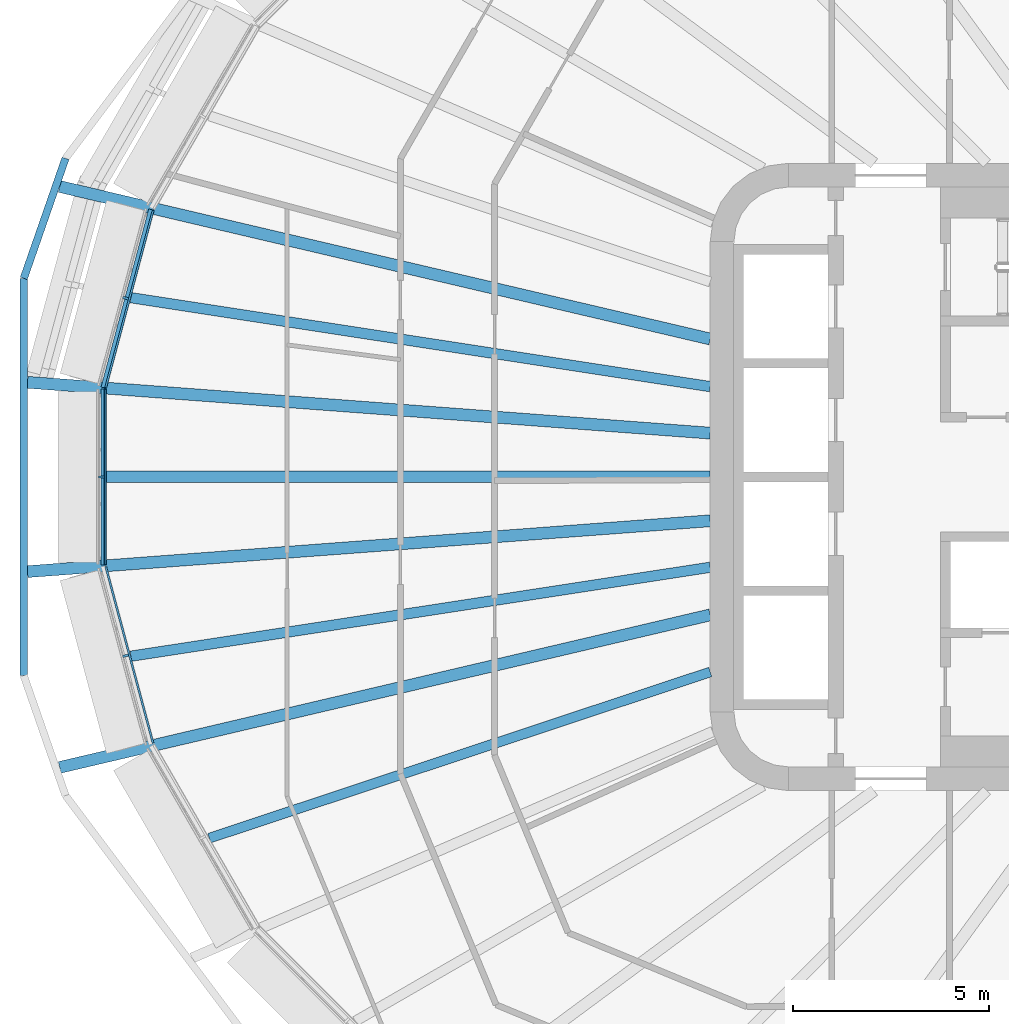
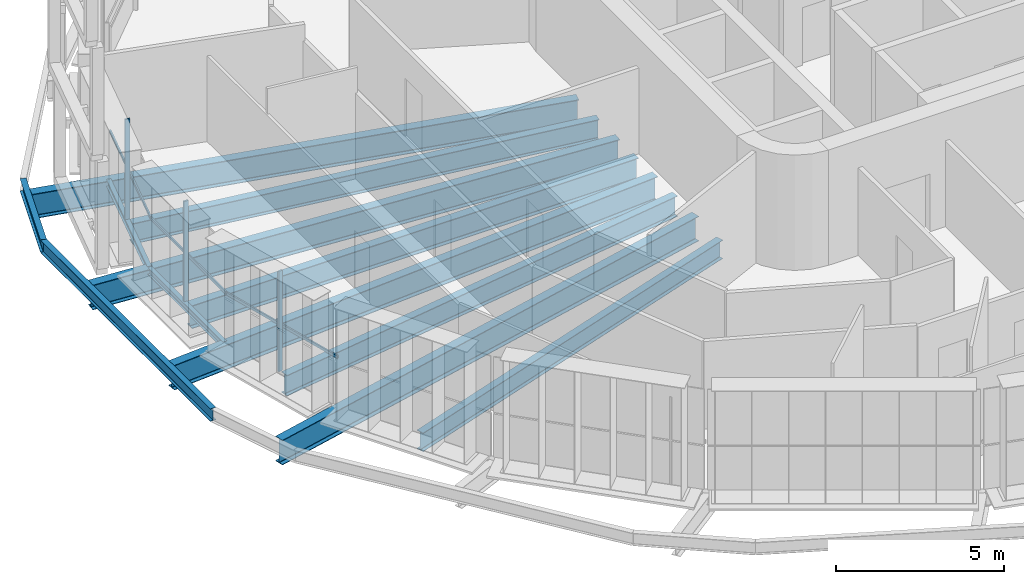
# One storey, part 3 of 24: 12 beams, 6 members, 3 elements without a shape of their own.
"""IFC4 building model written with IfcOpenShell, lengths in metres."""

from ifc_helpers import new_model, si_unit, direction, frame, origin, origin_2d, place, context, subcontext, project, spatial, rectangle, i_section, extrude, material, layer, layer_set, material_profile, profile_set, type_object, element, aggregate, save


model = new_model("IFC4")

# Units and contexts
model_context = context("Model", 3, precision=1e-05, world=origin(), true_north=direction((0.0, 1.0)))
body_context = subcontext(model_context, "Body", "Model", "MODEL_VIEW")
ifc_project = project(units=[si_unit("LENGTHUNIT", "METRE"), si_unit("AREAUNIT", "SQUARE_METRE"), si_unit("VOLUMEUNIT", "CUBIC_METRE"), si_unit("PLANEANGLEUNIT", "RADIAN"), si_unit("MASSUNIT", "GRAM", prefix="KILO")], contexts=[model_context])

# Site, building, storey
site_placement = place(None, origin())
site = spatial("IfcSite", under=ifc_project, at=site_placement, CompositionType="ELEMENT")
building_placement = place(site_placement, origin())
building = spatial("IfcBuilding", under=site, at=building_placement, Name="Sahrelin Media Tower", CompositionType="ELEMENT")
storey_placement = place(building_placement, frame((0.0, 0.0, 58.800048828125)))
storey = spatial("IfcBuildingStorey", under=building, at=storey_placement, Name="L09", CompositionType="ELEMENT", Elevation=58.800048828125)

# Beams
ifc_material_1 = material(Name="Steel S355", Category="steel")
ifc_material_profile_1 = material_profile(ifc_material_1, i_section(OverallWidth=0.14599609375, OverallDepth=0.25146484375, WebThickness=0.006103515625, FlangeThickness=0.008544921875, FilletRadius=0.007568359375, at=origin_2d()), Name="UB 254x146x31")
ifc_profile_set_1 = profile_set([ifc_material_profile_1], Name="Steel S355")
beam_type_1 = type_object("IfcBeamType", Name="Edge beam EB1", PredefinedType="BEAM", material=ifc_profile_set_1)
beam_1_placement = place(storey_placement, frame((-30.468505859375, -2.24658203125, -0.275634765625), z_axis=(0.0, 1.0, 0.0), x_axis=(-1.0, 0.0, 0.0)))
element("IfcBeam", 1, at=beam_1_placement, inside=storey, type_object=beam_type_1, Name="Edge beam L09-13", PredefinedType="BEAM", context=body_context, shape_type="SweptSolid", body=[
    extrude(i_section(OverallWidth=0.14599609375, OverallDepth=0.25146484375, WebThickness=0.006103515625, FlangeThickness=0.008544921875, FilletRadius=0.007568359375, at=origin_2d()), origin(), (0.0, 0.0, 1.0), 4.4931640625),
])
beam_2_placement = place(storey_placement, frame((-30.464599609375, 2.275146484375, -0.275634765625), z_axis=(0.258819114227, 0.965925807767, 0.0), x_axis=(-0.965925807767, 0.258819114227, 0.0)))
element("IfcBeam", 2, at=beam_2_placement, inside=storey, type_object=beam_type_1, Name="Edge beam L09-14", PredefinedType="BEAM", context=body_context, shape_type="SweptSolid", body=[
    extrude(i_section(OverallWidth=0.14599609375, OverallDepth=0.25146484375, WebThickness=0.006103515625, FlangeThickness=0.008544921875, FilletRadius=0.007568359375, at=origin_2d()), origin(), (0.0, 0.0, 1.0), 4.703125),
])

# Curtain wall, member
ifc_material_2 = material(Name="Champagne anodised aluminium 6063-T6", Category="aluminium")
ifc_layer = layer(ifc_material_2, 0.14990234375)
ifc_layer_set = layer_set([ifc_layer], Name="Tower ribbon curtain wall")
curtain_wall_type = type_object("IfcCurtainWallType", Name="Tower ribbon curtain wall", PredefinedType="NOTDEFINED", material=ifc_layer_set)
curtain_wall_1_placement = place(storey_placement, frame((-30.0009765625, 4.58544921875, 0.0), z_axis=(0.0, 0.0, 1.0), x_axis=(1.0, 0.0, 0.0)))
curtain_wall_1 = element("IfcCurtainWall", 3, at=curtain_wall_1_placement, inside=storey, type_object=curtain_wall_type, Name="L09:CW:L09-11", PredefinedType="NOTDEFINED")
ifc_material_profile_2 = material_profile(ifc_material_2, rectangle(XDim=0.06005859375, YDim=0.14990234375, at=origin_2d()), Name="Mullion 60x150")
ifc_profile_set_2 = profile_set([ifc_material_profile_2], Name="Champagne anodised aluminium 6063-T6")
member_type_1 = type_object("IfcMemberType", Name="Mullion 60x150 CW1", PredefinedType="MULLION", material=ifc_profile_set_2)
member_1_placement = place(storey_placement, frame((-29.9091796875, 4.560791015625, 0.0), z_axis=(0.0, 0.0, 1.0), x_axis=(-0.258817359244, -0.965926278012, 0.0)))
member_1 = element("IfcMember", 4, at=member_1_placement, type_object=member_type_1, Name="L09:CWM:L09-11", PredefinedType="MULLION", context=body_context, shape_type="SweptSolid", body=[
    extrude(rectangle(XDim=0.06005859375, YDim=0.14990234375, at=origin_2d()), origin(), (0.0, 0.0, 1.0), 3.6484375),
])

curtain_wall_2_placement = place(storey_placement, frame((-30.618408203125, 0.0, 0.0), z_axis=(0.0, 0.0, 1.0), x_axis=(1.0, 0.0, 0.0)))
curtain_wall_2 = element("IfcCurtainWall", 5, at=curtain_wall_2_placement, inside=storey, type_object=curtain_wall_type, Name="L09:CW:L09-12", PredefinedType="NOTDEFINED")
member_2_placement = place(storey_placement, frame((-30.5234375, 0.0, 0.0), z_axis=(0.0, 0.0, 1.0), x_axis=(0.0, -1.0, 0.0)))
member_2 = element("IfcMember", 6, at=member_2_placement, type_object=member_type_1, Name="L09:CWM:L09-12", PredefinedType="MULLION", context=body_context, shape_type="SweptSolid", body=[
    extrude(rectangle(XDim=0.06005859375, YDim=0.14990234375, at=origin_2d()), origin(), (0.0, 0.0, 1.0), 3.6484375),
])

curtain_wall_3_placement = place(storey_placement, frame((-30.0009765625, -4.58544921875, 0.0), z_axis=(0.0, 0.0, 1.0), x_axis=(1.0, 0.0, 0.0)))
curtain_wall_3 = element("IfcCurtainWall", 7, at=curtain_wall_3_placement, inside=storey, type_object=curtain_wall_type, Name="L09:CW:L09-13", PredefinedType="NOTDEFINED")
member_3_placement = place(storey_placement, frame((-29.9091796875, -4.560791015625, 0.0), z_axis=(0.0, 0.0, 1.0), x_axis=(0.258817359244, -0.965926278012, 0.0)))
member_3 = element("IfcMember", 8, at=member_3_placement, type_object=member_type_1, Name="L09:CWM:L09-13", PredefinedType="MULLION", context=body_context, shape_type="SweptSolid", body=[
    extrude(rectangle(XDim=0.06005859375, YDim=0.14990234375, at=origin_2d()), origin(), (0.0, 0.0, 1.0), 3.6484375),
])

# Beams
ifc_material_profile_3 = material_profile(ifc_material_1, i_section(OverallWidth=0.30322265625, OverallDepth=0.903076171875, WebThickness=0.01513671875, FlangeThickness=0.020263671875, FilletRadius=0.01904296875, at=origin_2d()), Name="UB 914x305x201")
ifc_profile_set_3 = profile_set([ifc_material_profile_3], Name="Steel S355")
beam_type_2 = type_object("IfcBeamType", Name="Radial primary beam PB11", PredefinedType="BEAM", material=ifc_profile_set_3)
beam_3_placement = place(storey_placement, frame((-15.0, 3.517333984375, -0.6015625), z_axis=(-0.973594073023, 0.228286182182, 0.0), x_axis=(-0.228286182182, -0.973594073023, 0.0)))
element("IfcBeam", 9, at=beam_3_placement, inside=storey, type_object=beam_type_2, Name="Radial beam L09-11", PredefinedType="BEAM", context=body_context, shape_type="SweptSolid", body=[
    extrude(i_section(OverallWidth=0.30322265625, OverallDepth=0.903076171875, WebThickness=0.01513671875, FlangeThickness=0.020263671875, FilletRadius=0.01904296875, at=origin_2d()), origin(), (0.0, 0.0, 1.0), 17.03955078125),
])
for number, where, z_axis, x_axis, name in (
    (10, (-15.0, 1.117431640625, -0.6015625), (-0.997237376069, 0.074280655426, 0.0), (-0.074280655426, -0.997237376069, 0.0), "Radial beam L09-12"),
    (11, (-15.0, -1.117431640625, -0.6015625), (-0.997237376069, -0.074280655426, 0.0), (0.074280655426, -0.997237376069, 0.0), "Radial beam L09-13"),
):
    element("IfcBeam", number, at=place(storey_placement, frame(where, z_axis=z_axis, x_axis=x_axis)), inside=storey, type_object=beam_type_2, Name=name, PredefinedType="BEAM", context=body_context, shape_type="SweptSolid", body=[
        extrude(i_section(OverallWidth=0.30322265625, OverallDepth=0.903076171875, WebThickness=0.01513671875, FlangeThickness=0.020263671875, FilletRadius=0.01904296875, at=origin_2d()), origin(), (0.0, 0.0, 1.0), 17.459228515625),
    ])
beam_4_placement = place(storey_placement, frame((-15.0, -3.517333984375, -0.6015625), z_axis=(-0.973594073023, -0.228286182182, 0.0), x_axis=(0.228286182182, -0.973594073023, 0.0)))
element("IfcBeam", 12, at=beam_4_placement, inside=storey, type_object=beam_type_2, Name="Radial beam L09-14", PredefinedType="BEAM", context=body_context, shape_type="SweptSolid", body=[
    extrude(i_section(OverallWidth=0.30322265625, OverallDepth=0.903076171875, WebThickness=0.01513671875, FlangeThickness=0.020263671875, FilletRadius=0.01904296875, at=origin_2d()), origin(), (0.0, 0.0, 1.0), 17.03955078125),
])
ifc_material_profile_4 = material_profile(ifc_material_1, i_section(OverallWidth=0.291748046875, OverallDepth=0.8349609375, WebThickness=0.013916015625, FlangeThickness=0.018798828125, FilletRadius=0.017822265625, at=origin_2d()), Name="UB 838x292x176")
ifc_profile_set_4 = profile_set([ifc_material_profile_4], Name="Steel S355")
beam_type_3 = type_object("IfcBeamType", Name="Radial secondary beam SB10", PredefinedType="BEAM", material=ifc_profile_set_4)
beam_5_placement = place(storey_placement, frame((-15.0, 0.0, -0.567626953125), z_axis=(-1.0, 0.0, 0.0), x_axis=(0.0, -1.0, 0.0)))
element("IfcBeam", 13, at=beam_5_placement, inside=storey, type_object=beam_type_3, Name="Secondary beam L09-12", PredefinedType="BEAM", context=body_context, shape_type="SweptSolid", body=[
    extrude(i_section(OverallWidth=0.291748046875, OverallDepth=0.8349609375, WebThickness=0.013916015625, FlangeThickness=0.018798828125, FilletRadius=0.017822265625, at=origin_2d()), origin(), (0.0, 0.0, 1.0), 15.3955078125),
])
ifc_material_profile_5 = material_profile(ifc_material_1, i_section(OverallWidth=0.2529296875, OverallDepth=0.677978515625, WebThickness=0.01171875, FlangeThickness=0.01611328125, FilletRadius=0.01513671875, at=origin_2d()), Name="UB 686x254x125")
ifc_profile_set_5 = profile_set([ifc_material_profile_5], Name="Steel S355")
beam_type_4 = type_object("IfcBeamType", Name="Radial secondary beam SB8", PredefinedType="BEAM", material=ifc_profile_set_5)
beam_6_placement = place(storey_placement, frame((-15.0, -4.974609375, -0.489013671875), z_axis=(-0.949164712184, -0.314779842342, 0.0), x_axis=(0.314779842342, -0.949164712184, 0.0)))
element("IfcBeam", 14, at=beam_6_placement, inside=storey, type_object=beam_type_4, Name="Secondary beam L09-14", PredefinedType="BEAM", context=body_context, shape_type="SweptSolid", body=[
    extrude(i_section(OverallWidth=0.2529296875, OverallDepth=0.677978515625, WebThickness=0.01171875, FlangeThickness=0.01611328125, FilletRadius=0.01513671875, at=origin_2d()), origin(), (0.0, 0.0, 1.0), 13.458740234375),
])
ifc_material_profile_6 = material_profile(ifc_material_1, i_section(OverallWidth=0.26513671875, OverallDepth=0.75390625, WebThickness=0.0126953125, FlangeThickness=0.017578125, FilletRadius=0.0166015625, at=origin_2d()), Name="UB 762x267x147")
ifc_profile_set_6 = profile_set([ifc_material_profile_6], Name="Steel S355")
beam_type_5 = type_object("IfcBeamType", Name="Radial secondary beam SB9", PredefinedType="BEAM", material=ifc_profile_set_6)
for number, where, z_axis, x_axis, name in (
    (15, (-15.0, 2.302978515625, -0.527099609375), (-0.98841753883, 0.151758917146, 0.0), (-0.151758917146, -0.98841753883, 0.0), "Secondary beam L09-11"),
    (16, (-15.0, -2.302978515625, -0.527099609375), (-0.98841753883, -0.151758917146, 0.0), (0.151758917146, -0.98841753883, 0.0), "Secondary beam L09-13"),
):
    element("IfcBeam", number, at=place(storey_placement, frame(where, z_axis=z_axis, x_axis=x_axis)), inside=storey, type_object=beam_type_5, Name=name, PredefinedType="BEAM", context=body_context, shape_type="SweptSolid", body=[
        extrude(i_section(OverallWidth=0.26513671875, OverallDepth=0.75390625, WebThickness=0.0126953125, FlangeThickness=0.017578125, FilletRadius=0.0166015625, at=origin_2d()), origin(), (0.0, 0.0, 1.0), 14.94677734375),
    ])
ifc_material_profile_7 = material_profile(ifc_material_1, i_section(OverallWidth=0.1904296875, OverallDepth=0.45703125, WebThickness=0.009033203125, FlangeThickness=0.014404296875, FilletRadius=0.01025390625, at=origin_2d()), Name="UB 457x191x74")
ifc_profile_set_7 = profile_set([ifc_material_profile_7], Name="Steel S355")
beam_type_6 = type_object("IfcBeamType", Name="Tie chord TC5", PredefinedType="BEAM", material=ifc_profile_set_7)
beam_7_placement = place(storey_placement, frame((-31.440673828125, 8.12451171875, -0.378662109375), z_axis=(-0.328766059116, -0.944411392547, 0.0), x_axis=(0.944411392547, -0.328766059116, 0.0)))
element("IfcBeam", 17, at=beam_7_placement, inside=storey, type_object=beam_type_6, Name="Tie chord L09-11", PredefinedType="BEAM", context=body_context, shape_type="SweptSolid", body=[
    extrude(i_section(OverallWidth=0.1904296875, OverallDepth=0.45703125, WebThickness=0.009033203125, FlangeThickness=0.014404296875, FilletRadius=0.01025390625, at=origin_2d()), origin(), (0.0, 0.0, 1.0), 3.24072265625),
])
beam_8_placement = place(storey_placement, frame((-32.506103515625, 5.06396484375, -0.378662109375), z_axis=(0.0, -1.0, 0.0), x_axis=(1.0, 0.0, 0.0)))
element("IfcBeam", 18, at=beam_8_placement, inside=storey, type_object=beam_type_6, Name="Tie chord L09-12", PredefinedType="BEAM", context=body_context, shape_type="SweptSolid", body=[
    extrude(i_section(OverallWidth=0.1904296875, OverallDepth=0.45703125, WebThickness=0.009033203125, FlangeThickness=0.014404296875, FilletRadius=0.01025390625, at=origin_2d()), origin(), (0.0, 0.0, 1.0), 10.1279296875),
])

# Member
ifc_material_profile_8 = material_profile(ifc_material_2, rectangle(XDim=0.050048828125, YDim=0.10009765625, at=origin_2d()), Name="Transom 50x100")
ifc_profile_set_8 = profile_set([ifc_material_profile_8], Name="Champagne anodised aluminium 6063-T6")
member_type_2 = type_object("IfcMemberType", Name="Transom 50x100 CW1", PredefinedType="USERDEFINED", material=ifc_profile_set_8)
member_4_placement = place(storey_placement, frame((-29.2080078125, 6.791259765625, 1.599853515625), z_axis=(-0.258794425044, -0.965932422878, 0.0), x_axis=(0.965932422878, -0.258794425044, 0.0)))
member_4 = element("IfcMember", 19, at=member_4_placement, type_object=member_type_2, Name="L09:CWT:L09-11", ObjectType="TRANSOM", PredefinedType="USERDEFINED", context=body_context, shape_type="SweptSolid", body=[
    extrude(rectangle(XDim=0.050048828125, YDim=0.10009765625, at=origin_2d()), origin(), (0.0, 0.0, 1.0), 4.671630859375),
])

aggregate(curtain_wall_1, [member_1, member_4])

member_5_placement = place(storey_placement, frame((-30.42333984375, 2.23095703125, 1.599853515625), z_axis=(0.0, -1.0, 0.0), x_axis=(1.0, 0.0, 0.0)))
member_5 = element("IfcMember", 20, at=member_5_placement, type_object=member_type_2, Name="L09:CWT:L09-12", ObjectType="TRANSOM", PredefinedType="USERDEFINED", context=body_context, shape_type="SweptSolid", body=[
    extrude(rectangle(XDim=0.050048828125, YDim=0.10009765625, at=origin_2d()), origin(), (0.0, 0.0, 1.0), 4.4619140625),
])

aggregate(curtain_wall_2, [member_2, member_5])

member_6_placement = place(storey_placement, frame((-30.4169921875, -2.27880859375, 1.599853515625), z_axis=(0.258794425044, -0.965932422878, 0.0), x_axis=(0.965932422878, 0.258794425044, 0.0)))
member_6 = element("IfcMember", 21, at=member_6_placement, type_object=member_type_2, Name="L09:CWT:L09-13", ObjectType="TRANSOM", PredefinedType="USERDEFINED", context=body_context, shape_type="SweptSolid", body=[
    extrude(rectangle(XDim=0.050048828125, YDim=0.10009765625, at=origin_2d()), origin(), (0.0, 0.0, 1.0), 4.671630859375),
])

aggregate(curtain_wall_3, [member_3, member_6])

save(model, "model.ifc")
